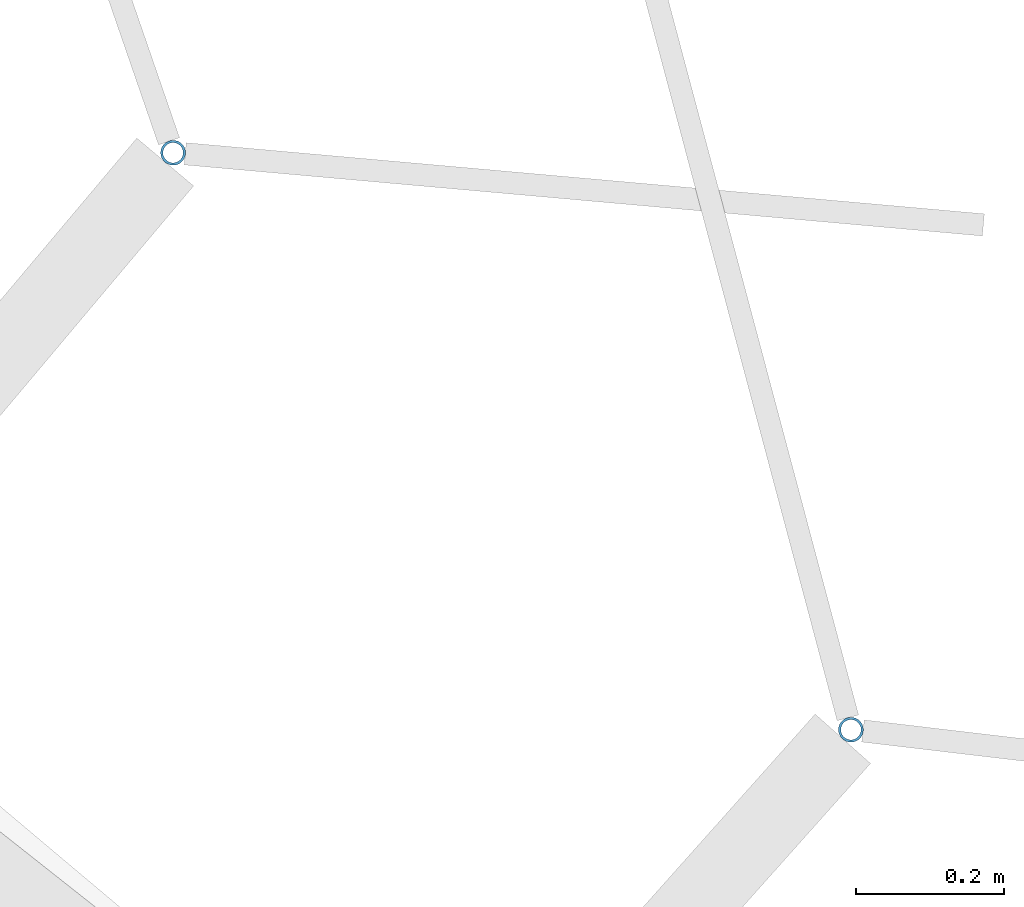
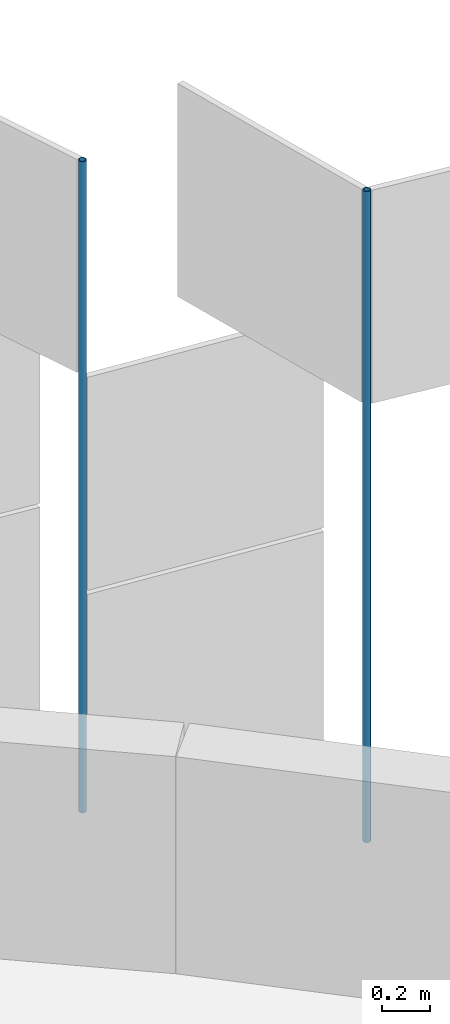
# One storey, part 127 of 198: 2 discrete accessories.
"""IFC4 building model written with IfcOpenShell, lengths in metres."""

from ifc_helpers import new_model, si_unit, direction, frame, origin, origin_2d, place, context, subcontext, project, spatial, hollow_circle, extrude, material, material_profile, profile_set, type_object, element, save


model = new_model("IFC4")

# Units and contexts
model_context = context("Model", 3, precision=1e-05, world=origin(), true_north=direction((0.0, 1.0)))
body_context = subcontext(model_context, "Body", "Model", "MODEL_VIEW")
ifc_project = project(units=[si_unit("LENGTHUNIT", "METRE"), si_unit("AREAUNIT", "SQUARE_METRE"), si_unit("VOLUMEUNIT", "CUBIC_METRE"), si_unit("PLANEANGLEUNIT", "RADIAN"), si_unit("MASSUNIT", "GRAM", prefix="KILO")], contexts=[model_context])

# Site, building, storey
site_placement = place(None, origin())
site = spatial("IfcSite", under=ifc_project, at=site_placement, CompositionType="ELEMENT")
building_placement = place(site_placement, origin())
building = spatial("IfcBuilding", under=site, at=building_placement, Name="Parallax Yard Mobility Hub", CompositionType="ELEMENT")
storey_placement = place(building_placement, frame((0.0, 0.0, 6.60009765625)))
storey = spatial("IfcBuildingStorey", under=building, at=storey_placement, Name="L02", CompositionType="ELEMENT", Elevation=6.60009765625)

# Discrete accessories
ifc_material = material(Name="Steel ASTM A500 Gr C, hot-dip galvanised", Category="steel")
ifc_material_profile = material_profile(ifc_material, hollow_circle(Radius=0.016845703125, WallThickness=0.003173828125, at=origin_2d()), Name="CHS 33.7x3.2")
ifc_profile_set = profile_set([ifc_material_profile], Name="Steel ASTM A500 Gr C, hot-dip galvanised")
discrete_accessory_type = type_object("IfcDiscreteAccessoryType", Name="Hinge post CHS 33.7x3.2", PredefinedType="BRACKET", material=ifc_profile_set)
for number, where, z_axis, x_axis, name in (
    (1, (207.5859375, 130.151123046875, 0.0), (0.0, 0.0, 1.0), (1.0, 0.0, 0.0), "Hinge post bay 46.4 level L02"),
    (2, (206.67236328125, 130.9287109375, 0.0), (0.0, 0.0, 1.0), (1.0, 0.0, 0.0), "Hinge post bay 46.5 level L02"),
):
    element("IfcDiscreteAccessory", number, at=place(storey_placement, frame(where, z_axis=z_axis, x_axis=x_axis)), inside=storey, type_object=discrete_accessory_type, Name=name, PredefinedType="BRACKET", context=body_context, shape_type="SweptSolid", body=[
        extrude(hollow_circle(Radius=0.016845703125, WallThickness=0.003173828125, at=origin_2d()), origin(), (0.0, 0.0, 1.0), 3.2998046875),
    ])

save(model, "model.ifc")
